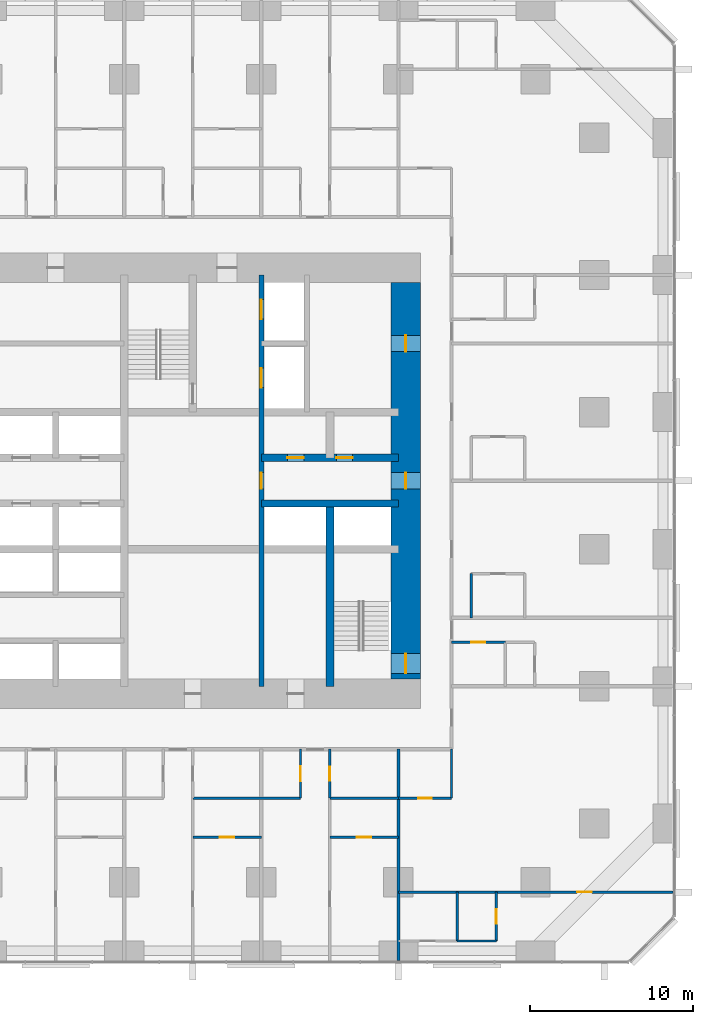
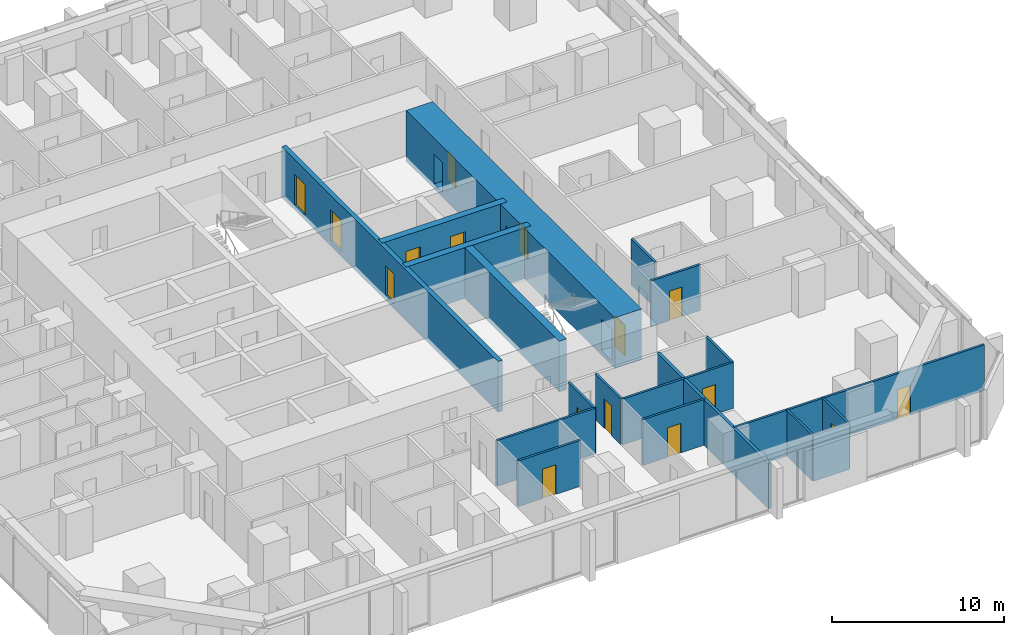
# One storey, part 13 of 17: 20 walls, 16 doors, 16 openings.
"""IFC4 building model written with IfcOpenShell, lengths in metres."""

from ifc_helpers import new_model, si_unit, direction, frame, frame_2d, origin, place, context, subcontext, project, spatial, rectangle, extrude, material, layer, layer_set, type_object, element, fill, save


model = new_model("IFC4")

# Units and contexts
model_context = context("Model", 3, precision=1e-05, world=origin(), true_north=direction((0.0, 1.0)))
body_context = subcontext(model_context, "Body", "Model", "MODEL_VIEW")
ifc_project = project(units=[si_unit("LENGTHUNIT", "METRE"), si_unit("AREAUNIT", "SQUARE_METRE"), si_unit("VOLUMEUNIT", "CUBIC_METRE"), si_unit("PLANEANGLEUNIT", "RADIAN"), si_unit("MASSUNIT", "GRAM", prefix="KILO")], contexts=[model_context])

# Site, building, storey
site_placement = place(None, origin())
site = spatial("IfcSite", under=ifc_project, at=site_placement, CompositionType="ELEMENT")
building_placement = place(site_placement, origin())
building = spatial("IfcBuilding", under=site, at=building_placement, Name="Dunama Terrace Hotel", CompositionType="ELEMENT")
storey_placement = place(building_placement, frame((0.0, 0.0, 48.60009765625)))
storey = spatial("IfcBuildingStorey", under=building, at=storey_placement, Name="L11", CompositionType="ELEMENT", Elevation=48.60009765625)

# Wall, opening, door
ifc_material_1 = material(Name="Gypsum board partition", Category="masonry")
ifc_layer_1 = layer(ifc_material_1, 0.14990234375)
ifc_layer_set_1 = layer_set([ifc_layer_1], Name="Bathroom partition 150")
wall_type_1 = type_object("IfcWallType", Name="Bathroom partition 150", PredefinedType="PARTITIONING", material=ifc_layer_set_1)
wall_1_placement = place(storey_placement, frame((37.800048828125, 9.949951171875, 0.0), z_axis=(0.0, 0.0, 1.0), x_axis=(0.0, 1.0, 0.0)))
wall_1 = element("IfcWall", 1, at=wall_1_placement, inside=storey, type_object=wall_type_1, Name="Bathroom partition 150 L11", PredefinedType="PARTITIONING", context=body_context, shape_type="SweptSolid", body=[
    extrude(rectangle(XDim=3.0, YDim=0.14990234375, at=frame_2d((1.5, 0.0))), origin(), (0.0, 0.0, 1.0), 3.25),
])
opening_1_placement = place(wall_1_placement, frame((1.074951171875, 0.0, 0.0)))
opening_1 = element("IfcOpeningElement", 2, at=opening_1_placement, cuts=wall_1, Name="Opening L10-11-021", PredefinedType="OPENING", context=body_context, shape_type="SweptSolid", body=[
    extrude(rectangle(XDim=0.85009765625, YDim=2.10009765625, at=frame_2d((0.425048828125, 1.050048828125))), frame((0.0, 0.0849609375, 0.0), z_axis=(0.0, -1.0, 0.0), x_axis=(1.0, 0.0, 0.0)), (0.0, 0.0, 1.0), 0.169921875),
])
ifc_material_2 = material(Name="Timber door with steel frame", Category="steel")
door_type_1 = type_object("IfcDoorType", Name="Bathroom door 850", OperationType="SINGLE_SWING_LEFT", PredefinedType="DOOR", material=ifc_material_2)
door_1_placement = place(opening_1_placement, frame((0.85009765625, 0.0, 0.0), z_axis=(0.0, 0.0, 1.0), x_axis=(-1.0, 0.0, 0.0)))
door_1 = element("IfcDoor", 3, at=door_1_placement, inside=storey, type_object=door_type_1, Name="Door to residence bathroom L10-11-021, type D2", OperationType="SINGLE_SWING_LEFT", OverallHeight=2.10009765625, OverallWidth=0.85009765625, PredefinedType="DOOR", context=body_context, shape_type="SweptSolid", body=[
    extrude(rectangle(XDim=0.85009765625, YDim=2.10009765625, at=frame_2d((0.425048828125, 1.050048828125))), frame((0.0, 0.025146484375, 0.0), z_axis=(0.0, -1.0, 0.0), x_axis=(1.0, 0.0, 0.0)), (0.0, 0.0, 1.0), 0.050048828125),
])
fill(opening_1, door_1)

# Walls
wall_2_placement = place(storey_placement, frame((45.25, 9.949951171875, 0.0), z_axis=(0.0, 0.0, 1.0), x_axis=(0.0, 1.0, 0.0)))
element("IfcWall", 4, at=wall_2_placement, inside=storey, type_object=wall_type_1, Name="Bathroom partition 150 L11", PredefinedType="PARTITIONING", context=body_context, shape_type="SweptSolid", body=[
    extrude(rectangle(XDim=3.0, YDim=0.14990234375, at=frame_2d((1.5, 0.0))), origin(), (0.0, 0.0, 1.0), 3.25),
])
wall_3_placement = place(storey_placement, frame((46.449951171875, 21.0, 0.0), z_axis=(0.0, 0.0, 1.0), x_axis=(0.0, 1.0, 0.0)))
element("IfcWall", 5, at=wall_3_placement, inside=storey, type_object=wall_type_1, Name="Bathroom partition 150 L11", PredefinedType="PARTITIONING", context=body_context, shape_type="SweptSolid", body=[
    extrude(rectangle(XDim=2.699951171875, YDim=0.14990234375, at=frame_2d((1.35009765625, 0.0))), origin(), (0.0, 0.0, 1.0), 3.25),
])

# Wall, opening, door
wall_4_placement = place(storey_placement, frame((42.0, 9.949951171875, 0.0), z_axis=(0.0, 0.0, 1.0), x_axis=(1.0, 0.0, 0.0)))
wall_4 = element("IfcWall", 6, at=wall_4_placement, inside=storey, type_object=wall_type_1, Name="Bathroom partition 150 L11", PredefinedType="PARTITIONING", context=body_context, shape_type="SweptSolid", body=[
    extrude(rectangle(XDim=3.25, YDim=0.14990234375, at=frame_2d((1.625, 0.0))), origin(), (0.0, 0.0, 1.0), 3.25),
])
opening_2_placement = place(wall_4_placement, frame((1.199951171875, 0.0, 0.0)))
opening_2 = element("IfcOpeningElement", 7, at=opening_2_placement, cuts=wall_4, Name="Opening L10-11-073", PredefinedType="OPENING", context=body_context, shape_type="SweptSolid", body=[
    extrude(rectangle(XDim=0.85009765625, YDim=2.10009765625, at=frame_2d((0.425048828125, 1.050048828125))), frame((0.0, 0.0849609375, 0.0), z_axis=(0.0, -1.0, 0.0), x_axis=(1.0, 0.0, 0.0)), (0.0, 0.0, 1.0), 0.169921875),
])
door_2_placement = place(opening_2_placement, origin())
door_2 = element("IfcDoor", 8, at=door_2_placement, inside=storey, type_object=door_type_1, Name="Door to powder room L10-11-073, type D2", OperationType="SINGLE_SWING_LEFT", OverallHeight=2.10009765625, OverallWidth=0.85009765625, PredefinedType="DOOR", context=body_context, shape_type="SweptSolid", body=[
    extrude(rectangle(XDim=0.85009765625, YDim=2.10009765625, at=frame_2d((0.425048828125, 1.050048828125))), frame((0.0, 0.02490234375, 0.0), z_axis=(0.0, -1.0, 0.0), x_axis=(1.0, 0.0, 0.0)), (0.0, 0.0, 1.0), 0.050048828125),
])
fill(opening_2, door_2)

wall_5_placement = place(storey_placement, frame((45.25, 19.5, 0.0), z_axis=(0.0, 0.0, 1.0), x_axis=(1.0, 0.0, 0.0)))
wall_5 = element("IfcWall", 9, at=wall_5_placement, inside=storey, type_object=wall_type_1, Name="Bathroom partition 150 L11", PredefinedType="PARTITIONING", context=body_context, shape_type="SweptSolid", body=[
    extrude(rectangle(XDim=3.300048828125, YDim=0.14990234375, at=frame_2d((1.64990234375, 0.0))), origin(), (0.0, 0.0, 1.0), 3.25),
])
opening_3_placement = place(wall_5_placement, frame((1.22509765625, 0.0, 0.0)))
opening_3 = element("IfcOpeningElement", 10, at=opening_3_placement, cuts=wall_5, Name="Opening L10-11-025", PredefinedType="OPENING", context=body_context, shape_type="SweptSolid", body=[
    extrude(rectangle(XDim=0.85009765625, YDim=2.10009765625, at=frame_2d((0.425048828125, 1.050048828125))), frame((0.0, 0.0849609375, 0.0), z_axis=(0.0, -1.0, 0.0), x_axis=(1.0, 0.0, 0.0)), (0.0, 0.0, 1.0), 0.169921875),
])
door_3_placement = place(opening_3_placement, frame((0.85009765625, 0.0, 0.0), z_axis=(0.0, 0.0, 1.0), x_axis=(-1.0, 0.0, 0.0)))
door_3 = element("IfcDoor", 11, at=door_3_placement, inside=storey, type_object=door_type_1, Name="Door to en-suite bathroom L10-11-025, type D2", OperationType="SINGLE_SWING_RIGHT", OverallHeight=2.10009765625, OverallWidth=0.85009765625, PredefinedType="DOOR", context=body_context, shape_type="SweptSolid", body=[
    extrude(rectangle(XDim=0.85009765625, YDim=2.10009765625, at=frame_2d((0.425048828125, 1.050048828125))), frame((0.0, 0.025146484375, 0.0), z_axis=(0.0, -1.0, 0.0), x_axis=(1.0, 0.0, 0.0)), (0.0, 0.0, 1.0), 0.050048828125),
])
fill(opening_3, door_3)

# Wall, openings, doors
ifc_material_3 = material(Name="Concrete C50/60", Category="concrete")
ifc_layer_2 = layer(ifc_material_3, 0.300048828125)
ifc_layer_set_2 = layer_set([ifc_layer_2], Name="Core inner wall 300")
wall_type_2 = type_object("IfcWallType", Name="Core inner wall 300", PredefinedType="SHEAR", material=ifc_layer_set_2)
wall_6_placement = place(storey_placement, frame((33.60009765625, 16.800048828125, -0.35009765625), z_axis=(0.0, 0.0, 1.0), x_axis=(0.0, 1.0, 0.0)))
wall_6 = element("IfcWall", 12, at=wall_6_placement, inside=storey, type_object=wall_type_2, Name="Core inner wall 300 L11", PredefinedType="SHEAR", context=body_context, shape_type="SweptSolid", body=[
    extrude(rectangle(XDim=25.199951171875, YDim=0.300048828125, at=frame_2d((12.60009765625, 0.0))), origin(), (0.0, 0.0, 1.0), 3.60009765625),
])
opening_4_placement = place(wall_6_placement, frame((22.5, 0.0, 0.35009765625)))
opening_4 = element("IfcOpeningElement", 13, at=opening_4_placement, cuts=wall_6, Name="Opening L10-11-007", PredefinedType="OPENING", context=body_context, shape_type="SweptSolid", body=[
    extrude(rectangle(XDim=1.199951171875, YDim=2.199951171875, at=frame_2d((0.60009765625, 1.10009765625))), frame((0.0, 0.159912109375, 0.0), z_axis=(0.0, -1.0, 0.0), x_axis=(1.0, 0.0, 0.0)), (0.0, 0.0, 1.0), 0.320068359375),
])
opening_5_placement = place(wall_6_placement, frame((18.300048828125, 0.0, 0.35009765625)))
opening_5 = element("IfcOpeningElement", 14, at=opening_5_placement, cuts=wall_6, Name="Opening L10-11-008", PredefinedType="OPENING", context=body_context, shape_type="SweptSolid", body=[
    extrude(rectangle(XDim=1.199951171875, YDim=2.199951171875, at=frame_2d((0.60009765625, 1.10009765625))), frame((0.0, 0.159912109375, 0.0), z_axis=(0.0, -1.0, 0.0), x_axis=(1.0, 0.0, 0.0)), (0.0, 0.0, 1.0), 0.320068359375),
])
opening_6_placement = place(wall_6_placement, frame((12.10009765625, 0.0, 0.35009765625)))
opening_6 = element("IfcOpeningElement", 15, at=opening_6_placement, cuts=wall_6, Name="Opening L10-11-091", PredefinedType="OPENING", context=body_context, shape_type="SweptSolid", body=[
    extrude(rectangle(XDim=1.0, YDim=2.10009765625, at=frame_2d((0.5, 1.050048828125))), frame((0.0, 0.159912109375, 0.0), z_axis=(0.0, -1.0, 0.0), x_axis=(1.0, 0.0, 0.0)), (0.0, 0.0, 1.0), 0.320068359375),
])
ifc_material_4 = material(Name="Stainless steel lift door", Category="steel")
door_type_2 = type_object("IfcDoorType", Name="Firefighting lift landing door 1200", OperationType="DOUBLE_DOOR_SLIDING", PredefinedType="DOOR", material=ifc_material_4)
door_4_placement = place(opening_4_placement, origin())
door_4 = element("IfcDoor", 16, at=door_4_placement, inside=storey, type_object=door_type_2, Name="Landing door FL1 L10-11-007, type LD2", OperationType="DOUBLE_DOOR_SLIDING", OverallHeight=2.199951171875, OverallWidth=1.199951171875, PredefinedType="DOOR", context=body_context, shape_type="SweptSolid", body=[
    extrude(rectangle(XDim=1.199951171875, YDim=2.199951171875, at=frame_2d((0.60009765625, 1.10009765625))), frame((0.0, 0.02490234375, 0.0), z_axis=(0.0, -1.0, 0.0), x_axis=(1.0, 0.0, 0.0)), (0.0, 0.0, 1.0), 0.050048828125),
])
fill(opening_4, door_4)
door_5_placement = place(opening_5_placement, origin())
door_5 = element("IfcDoor", 17, at=door_5_placement, inside=storey, type_object=door_type_2, Name="Landing door FL2 L10-11-008, type LD2", OperationType="DOUBLE_DOOR_SLIDING", OverallHeight=2.199951171875, OverallWidth=1.199951171875, PredefinedType="DOOR", context=body_context, shape_type="SweptSolid", body=[
    extrude(rectangle(XDim=1.199951171875, YDim=2.199951171875, at=frame_2d((0.60009765625, 1.10009765625))), frame((0.0, 0.02490234375, 0.0), z_axis=(0.0, -1.0, 0.0), x_axis=(1.0, 0.0, 0.0)), (0.0, 0.0, 1.0), 0.050048828125),
])
fill(opening_5, door_5)
ifc_material_5 = material(Name="Timber door with steel frame", Category="steel")
door_type_3 = type_object("IfcDoorType", Name="Service door 1000", OperationType="SINGLE_SWING_LEFT", PredefinedType="DOOR", material=ifc_material_5)
door_6_placement = place(opening_6_placement, origin())
door_6 = element("IfcDoor", 18, at=door_6_placement, inside=storey, type_object=door_type_3, Name="Door to linen and housekeeping room L10-11-091, type D7", OperationType="SINGLE_SWING_LEFT", OverallHeight=2.10009765625, OverallWidth=1.0, PredefinedType="DOOR", context=body_context, shape_type="SweptSolid", body=[
    extrude(rectangle(XDim=1.0, YDim=2.10009765625, at=frame_2d((0.5, 1.050048828125))), frame((0.0, 0.02490234375, 0.0), z_axis=(0.0, -1.0, 0.0), x_axis=(1.0, 0.0, 0.0)), (0.0, 0.0, 1.0), 0.050048828125),
])
fill(opening_6, door_6)

# Wall
ifc_material_6 = material(Name="Concrete C50/60", Category="concrete")
ifc_layer_3 = layer(ifc_material_6, 0.449951171875)
ifc_layer_set_3 = layer_set([ifc_layer_3], Name="Core inner wall 450")
wall_type_3 = type_object("IfcWallType", Name="Core inner wall 450", PredefinedType="SHEAR", material=ifc_layer_set_3)
wall_7_placement = place(storey_placement, frame((33.60009765625, 28.0, -0.35009765625), z_axis=(0.0, 0.0, 1.0), x_axis=(1.0, 0.0, 0.0)))
element("IfcWall", 19, at=wall_7_placement, inside=storey, type_object=wall_type_3, Name="Core inner wall 450 L11", PredefinedType="SHEAR", context=body_context, shape_type="SweptSolid", body=[
    extrude(rectangle(XDim=8.39990234375, YDim=0.449951171875, at=frame_2d((4.199951171875, 0.0))), origin(), (0.0, 0.0, 1.0), 3.60009765625),
])

# Wall, openings, doors
wall_8_placement = place(storey_placement, frame((33.60009765625, 30.800048828125, -0.35009765625), z_axis=(0.0, 0.0, 1.0), x_axis=(1.0, 0.0, 0.0)))
wall_8 = element("IfcWall", 20, at=wall_8_placement, inside=storey, type_object=wall_type_3, Name="Core inner wall 450 L11", PredefinedType="SHEAR", context=body_context, shape_type="SweptSolid", body=[
    extrude(rectangle(XDim=8.39990234375, YDim=0.449951171875, at=frame_2d((4.199951171875, 0.0))), origin(), (0.0, 0.0, 1.0), 3.60009765625),
])
opening_7_placement = place(wall_8_placement, frame((1.60009765625, 0.0, 0.35009765625)))
opening_7 = element("IfcOpeningElement", 21, at=opening_7_placement, cuts=wall_8, Name="Opening L10-11-092", PredefinedType="OPENING", context=body_context, shape_type="SweptSolid", body=[
    extrude(rectangle(XDim=1.0, YDim=2.10009765625, at=frame_2d((0.5, 1.050048828125))), frame((0.0, 0.23486328125, 0.0), z_axis=(0.0, -1.0, 0.0), x_axis=(1.0, 0.0, 0.0)), (0.0, 0.0, 1.0), 0.469970703125),
])
opening_8_placement = place(wall_8_placement, frame((4.60009765625, 0.0, 0.35009765625)))
opening_8 = element("IfcOpeningElement", 22, at=opening_8_placement, cuts=wall_8, Name="Opening L10-11-093", PredefinedType="OPENING", context=body_context, shape_type="SweptSolid", body=[
    extrude(rectangle(XDim=1.0, YDim=2.10009765625, at=frame_2d((0.5, 1.050048828125))), frame((0.0, 0.23486328125, 0.0), z_axis=(0.0, -1.0, 0.0), x_axis=(1.0, 0.0, 0.0)), (0.0, 0.0, 1.0), 0.469970703125),
])
door_7_placement = place(opening_7_placement, origin())
door_7 = element("IfcDoor", 23, at=door_7_placement, inside=storey, type_object=door_type_3, Name="Door to service riser L10-11-092, type D7", OperationType="SINGLE_SWING_RIGHT", OverallHeight=2.10009765625, OverallWidth=1.0, PredefinedType="DOOR", context=body_context, shape_type="SweptSolid", body=[
    extrude(rectangle(XDim=1.0, YDim=2.10009765625, at=frame_2d((0.5, 1.050048828125))), frame((0.0, 0.02490234375, 0.0), z_axis=(0.0, -1.0, 0.0), x_axis=(1.0, 0.0, 0.0)), (0.0, 0.0, 1.0), 0.050048828125),
])
fill(opening_7, door_7)
door_8_placement = place(opening_8_placement, origin())
door_8 = element("IfcDoor", 24, at=door_8_placement, inside=storey, type_object=door_type_3, Name="Door to cleaners store L10-11-093, type D7", OperationType="SINGLE_SWING_LEFT", OverallHeight=2.10009765625, OverallWidth=1.0, PredefinedType="DOOR", context=body_context, shape_type="SweptSolid", body=[
    extrude(rectangle(XDim=1.0, YDim=2.10009765625, at=frame_2d((0.5, 1.050048828125))), frame((0.0, 0.02490234375, 0.0), z_axis=(0.0, -1.0, 0.0), x_axis=(1.0, 0.0, 0.0)), (0.0, 0.0, 1.0), 0.050048828125),
])
fill(opening_8, door_8)

# Wall
ifc_material_7 = material(Name="Concrete C50/60", Category="concrete")
ifc_layer_4 = layer(ifc_material_7, 0.5)
ifc_layer_set_4 = layer_set([ifc_layer_4], Name="Core inner wall 500")
wall_type_4 = type_object("IfcWallType", Name="Core inner wall 500", PredefinedType="SHEAR", material=ifc_layer_set_4)
wall_9_placement = place(storey_placement, frame((37.800048828125, 16.800048828125, -0.35009765625), z_axis=(0.0, 0.0, 1.0), x_axis=(0.0, 1.0, 0.0)))
element("IfcWall", 25, at=wall_9_placement, inside=storey, type_object=wall_type_4, Name="Core inner wall 500 L11", PredefinedType="SHEAR", context=body_context, shape_type="SweptSolid", body=[
    extrude(rectangle(XDim=11.199951171875, YDim=0.5, at=frame_2d((5.60009765625, 0.0))), origin(), (0.0, 0.0, 1.0), 3.60009765625),
])

# Wall, openings, doors
ifc_material_8 = material(Name="Concrete C60/75", Category="concrete")
ifc_layer_5 = layer(ifc_material_8, 1.800048828125)
ifc_layer_set_5 = layer_set([ifc_layer_5], Name="Core wall 1800")
wall_type_5 = type_object("IfcWallType", Name="Core wall 1800", PredefinedType="SHEAR", material=ifc_layer_set_5)
wall_10_placement = place(storey_placement, frame((42.449951171875, 17.25, -0.35009765625), z_axis=(0.0, 0.0, 1.0), x_axis=(0.0, 1.0, 0.0)))
wall_10 = element("IfcWall", 26, at=wall_10_placement, inside=storey, type_object=wall_type_5, Name="Core wall east L11", PredefinedType="SHEAR", context=body_context, shape_type="SweptSolid", body=[
    extrude(rectangle(XDim=24.300048828125, YDim=1.800048828125, at=frame_2d((12.14990234375, 0.0))), origin(), (0.0, 0.0, 1.0), 3.60009765625),
])
opening_9_placement = place(wall_10_placement, frame((0.35009765625, 0.0, 0.35009765625)))
opening_9 = element("IfcOpeningElement", 27, at=opening_9_placement, cuts=wall_10, Name="Opening L10-11-002", PredefinedType="OPENING", context=body_context, shape_type="SweptSolid", body=[
    extrude(rectangle(XDim=1.199951171875, YDim=2.199951171875, at=frame_2d((0.60009765625, 1.10009765625))), frame((0.0, 0.909912109375, 0.0), z_axis=(0.0, -1.0, 0.0), x_axis=(1.0, 0.0, 0.0)), (0.0, 0.0, 1.0), 1.820068359375),
])
opening_10_placement = place(wall_10_placement, frame((11.64990234375, 0.0, 0.35009765625)))
opening_10 = element("IfcOpeningElement", 28, at=opening_10_placement, cuts=wall_10, Name="Opening L10-11-094", PredefinedType="OPENING", context=body_context, shape_type="SweptSolid", body=[
    extrude(rectangle(XDim=1.0, YDim=2.10009765625, at=frame_2d((0.5, 1.050048828125))), frame((0.0, 0.909912109375, 0.0), z_axis=(0.0, -1.0, 0.0), x_axis=(1.0, 0.0, 0.0)), (0.0, 0.0, 1.0), 1.820068359375),
])
opening_11_placement = place(wall_10_placement, frame((20.050048828125, 0.0, 0.35009765625)))
opening_11 = element("IfcOpeningElement", 29, at=opening_11_placement, cuts=wall_10, Name="Opening L10-11-096", PredefinedType="OPENING", context=body_context, shape_type="SweptSolid", body=[
    extrude(rectangle(XDim=1.0, YDim=2.10009765625, at=frame_2d((0.5, 1.050048828125))), frame((0.0, 0.909912109375, 0.0), z_axis=(0.0, -1.0, 0.0), x_axis=(1.0, 0.0, 0.0)), (0.0, 0.0, 1.0), 1.820068359375),
])
door_9_placement = place(opening_10_placement, origin())
door_9 = element("IfcDoor", 30, at=door_9_placement, inside=storey, type_object=door_type_3, Name="Door to service lobby L10-11-094, type D7", OperationType="SINGLE_SWING_LEFT", OverallHeight=2.10009765625, OverallWidth=1.0, PredefinedType="DOOR", context=body_context, shape_type="SweptSolid", body=[
    extrude(rectangle(XDim=1.0, YDim=2.10009765625, at=frame_2d((0.5, 1.050048828125))), frame((0.0, 0.02490234375, 0.0), z_axis=(0.0, -1.0, 0.0), x_axis=(1.0, 0.0, 0.0)), (0.0, 0.0, 1.0), 0.050048828125),
])
fill(opening_10, door_9)
door_10_placement = place(opening_11_placement, origin())
door_10 = element("IfcDoor", 31, at=door_10_placement, inside=storey, type_object=door_type_3, Name="Door to housekeeping store L10-11-096, type D7", OperationType="SINGLE_SWING_LEFT", OverallHeight=2.10009765625, OverallWidth=1.0, PredefinedType="DOOR", context=body_context, shape_type="SweptSolid", body=[
    extrude(rectangle(XDim=1.0, YDim=2.10009765625, at=frame_2d((0.5, 1.050048828125))), frame((0.0, 0.02490234375, 0.0), z_axis=(0.0, -1.0, 0.0), x_axis=(1.0, 0.0, 0.0)), (0.0, 0.0, 1.0), 0.050048828125),
])
fill(opening_11, door_10)
ifc_material_9 = material(Name="Timber door with steel frame", Category="steel")
door_type_4 = type_object("IfcDoorType", Name="Stair door 1200", OperationType="SINGLE_SWING_LEFT", PredefinedType="DOOR", material=ifc_material_9)
door_11_placement = place(opening_9_placement, origin())
door_11 = element("IfcDoor", 32, at=door_11_placement, inside=storey, type_object=door_type_4, Name="Stair door ST2 L10-11-002, type D5", OperationType="SINGLE_SWING_LEFT", OverallHeight=2.199951171875, OverallWidth=1.199951171875, PredefinedType="DOOR", context=body_context, shape_type="SweptSolid", body=[
    extrude(rectangle(XDim=1.199951171875, YDim=2.199951171875, at=frame_2d((0.60009765625, 1.10009765625))), frame((0.0, 0.02490234375, 0.0), z_axis=(0.0, -1.0, 0.0), x_axis=(1.0, 0.0, 0.0)), (0.0, 0.0, 1.0), 0.050048828125),
])
fill(opening_9, door_11)

# Wall
ifc_material_10 = material(Name="Concrete blockwork", Category="masonry")
ifc_layer_6 = layer(ifc_material_10, 0.199951171875)
ifc_layer_set_6 = layer_set([ifc_layer_6], Name="Party wall 200")
wall_type_6 = type_object("IfcWallType", Name="Party wall 200", PredefinedType="PARTITIONING", material=ifc_layer_set_6)
wall_11_placement = place(storey_placement, frame((42.0, -0.008056640625, 0.0), z_axis=(0.0, 0.0, 1.0), x_axis=(0.0, 1.0, 0.0)))
element("IfcWall", 33, at=wall_11_placement, inside=storey, type_object=wall_type_6, Name="Party wall 200 L11", PredefinedType="PARTITIONING", context=body_context, shape_type="SweptSolid", body=[
    extrude(rectangle(XDim=12.9580078125, YDim=0.199951171875, at=frame_2d((6.47900390625, 0.0))), origin(), (0.0, 0.0, 1.0), 3.25),
])

# Wall, opening, door
ifc_material_11 = material(Name="Gypsum board partition", Category="masonry")
ifc_layer_7 = layer(ifc_material_11, 0.14990234375)
ifc_layer_set_7 = layer_set([ifc_layer_7], Name="Room partition 150")
wall_type_7 = type_object("IfcWallType", Name="Room partition 150", PredefinedType="PARTITIONING", material=ifc_layer_set_7)
wall_12_placement = place(storey_placement, frame((36.0, 9.949951171875, 0.0), z_axis=(0.0, 0.0, 1.0), x_axis=(0.0, 1.0, 0.0)))
wall_12 = element("IfcWall", 34, at=wall_12_placement, inside=storey, type_object=wall_type_7, Name="Room partition 150 L11", PredefinedType="PARTITIONING", context=body_context, shape_type="SweptSolid", body=[
    extrude(rectangle(XDim=3.0, YDim=0.14990234375, at=frame_2d((1.5, 0.0))), origin(), (0.0, 0.0, 1.0), 3.25),
])
opening_12_placement = place(wall_12_placement, frame((1.050048828125, 0.0, 0.0)))
opening_12 = element("IfcOpeningElement", 35, at=opening_12_placement, cuts=wall_12, Name="Opening L10-11-020", PredefinedType="OPENING", context=body_context, shape_type="SweptSolid", body=[
    extrude(rectangle(XDim=0.89990234375, YDim=2.10009765625, at=frame_2d((0.449951171875, 1.050048828125))), frame((0.0, 0.0849609375, 0.0), z_axis=(0.0, -1.0, 0.0), x_axis=(1.0, 0.0, 0.0)), (0.0, 0.0, 1.0), 0.169921875),
])
ifc_material_12 = material(Name="Timber door with steel frame", Category="steel")
door_type_5 = type_object("IfcDoorType", Name="Suite internal door 900", OperationType="SINGLE_SWING_LEFT", PredefinedType="DOOR", material=ifc_material_12)
door_12_placement = place(opening_12_placement, origin())
door_12 = element("IfcDoor", 36, at=door_12_placement, inside=storey, type_object=door_type_5, Name="Door to residence kitchen L10-11-020, type D16", OperationType="SINGLE_SWING_RIGHT", OverallHeight=2.10009765625, OverallWidth=0.89990234375, PredefinedType="DOOR", context=body_context, shape_type="SweptSolid", body=[
    extrude(rectangle(XDim=0.89990234375, YDim=2.10009765625, at=frame_2d((0.449951171875, 1.050048828125))), frame((0.0, 0.02490234375, 0.0), z_axis=(0.0, -1.0, 0.0), x_axis=(1.0, 0.0, 0.0)), (0.0, 0.0, 1.0), 0.050048828125),
])
fill(opening_12, door_12)

# Wall
wall_13_placement = place(storey_placement, frame((45.60009765625, 1.199951171875, 0.0), z_axis=(0.0, 0.0, 1.0), x_axis=(0.0, 1.0, 0.0)))
element("IfcWall", 37, at=wall_13_placement, inside=storey, type_object=wall_type_7, Name="Room partition 150 L11", PredefinedType="PARTITIONING", context=body_context, shape_type="SweptSolid", body=[
    extrude(rectangle(XDim=3.0, YDim=0.14990234375, at=frame_2d((1.5, 0.0))), origin(), (0.0, 0.0, 1.0), 3.25),
])

# Wall, opening, door
wall_14_placement = place(storey_placement, frame((48.0, 1.199951171875, 0.0), z_axis=(0.0, 0.0, 1.0), x_axis=(0.0, 1.0, 0.0)))
wall_14 = element("IfcWall", 38, at=wall_14_placement, inside=storey, type_object=wall_type_7, Name="Room partition 150 L11", PredefinedType="PARTITIONING", context=body_context, shape_type="SweptSolid", body=[
    extrude(rectangle(XDim=3.0, YDim=0.14990234375, at=frame_2d((1.5, 0.0))), origin(), (0.0, 0.0, 1.0), 3.25),
])
opening_13_placement = place(wall_14_placement, frame((1.050048828125, 0.0, 0.0)))
opening_13 = element("IfcOpeningElement", 39, at=opening_13_placement, cuts=wall_14, Name="Opening L10-11-076", PredefinedType="OPENING", context=body_context, shape_type="SweptSolid", body=[
    extrude(rectangle(XDim=0.89990234375, YDim=2.10009765625, at=frame_2d((0.449951171875, 1.050048828125))), frame((0.0, 0.0849609375, 0.0), z_axis=(0.0, -1.0, 0.0), x_axis=(1.0, 0.0, 0.0)), (0.0, 0.0, 1.0), 0.169921875),
])
door_13_placement = place(opening_13_placement, origin())
door_13 = element("IfcDoor", 40, at=door_13_placement, inside=storey, type_object=door_type_5, Name="Door to dressing room L10-11-076, type D16", OperationType="SINGLE_SWING_LEFT", OverallHeight=2.10009765625, OverallWidth=0.89990234375, PredefinedType="DOOR", context=body_context, shape_type="SweptSolid", body=[
    extrude(rectangle(XDim=0.89990234375, YDim=2.10009765625, at=frame_2d((0.449951171875, 1.050048828125))), frame((0.0, 0.02490234375, 0.0), z_axis=(0.0, -1.0, 0.0), x_axis=(1.0, 0.0, 0.0)), (0.0, 0.0, 1.0), 0.050048828125),
])
fill(opening_13, door_13)

# Wall
wall_15_placement = place(storey_placement, frame((45.60009765625, 1.199951171875, 0.0), z_axis=(0.0, 0.0, 1.0), x_axis=(1.0, 0.0, 0.0)))
element("IfcWall", 41, at=wall_15_placement, inside=storey, type_object=wall_type_7, Name="Room partition 150 L11", PredefinedType="PARTITIONING", context=body_context, shape_type="SweptSolid", body=[
    extrude(rectangle(XDim=2.39990234375, YDim=0.14990234375, at=frame_2d((1.199951171875, 0.0))), origin(), (0.0, 0.0, 1.0), 3.25),
])

# Wall, opening, door
wall_16_placement = place(storey_placement, frame((42.0, 4.199951171875, 0.0), z_axis=(0.0, 0.0, 1.0), x_axis=(1.0, 0.0, 0.0)))
wall_16 = element("IfcWall", 42, at=wall_16_placement, inside=storey, type_object=wall_type_7, Name="Room partition 150 L11", PredefinedType="PARTITIONING", context=body_context, shape_type="SweptSolid", body=[
    extrude(rectangle(XDim=16.80810546875, YDim=0.14990234375, at=frame_2d((8.404052734375, 0.0))), origin(), (0.0, 0.0, 1.0), 3.25),
])
opening_14_placement = place(wall_16_placement, frame((10.949951171875, 0.0, 0.0)))
opening_14 = element("IfcOpeningElement", 43, at=opening_14_placement, cuts=wall_16, Name="Opening L10-11-074", PredefinedType="OPENING", context=body_context, shape_type="SweptSolid", body=[
    extrude(rectangle(XDim=0.89990234375, YDim=2.10009765625, at=frame_2d((0.449951171875, 1.050048828125))), frame((0.0, 0.0849609375, 0.0), z_axis=(0.0, -1.0, 0.0), x_axis=(1.0, 0.0, 0.0)), (0.0, 0.0, 1.0), 0.169921875),
])
door_14_placement = place(opening_14_placement, frame((0.89990234375, 0.0, 0.0), z_axis=(0.0, 0.0, 1.0), x_axis=(-1.0, 0.0, 0.0)))
door_14 = element("IfcDoor", 44, at=door_14_placement, inside=storey, type_object=door_type_5, Name="Door to corner suite bedroom L10-11-074, type D16", OperationType="SINGLE_SWING_RIGHT", OverallHeight=2.10009765625, OverallWidth=0.89990234375, PredefinedType="DOOR", context=body_context, shape_type="SweptSolid", body=[
    extrude(rectangle(XDim=0.89990234375, YDim=2.10009765625, at=frame_2d((0.449951171875, 1.050048828125))), frame((0.0, 0.025146484375, 0.0), z_axis=(0.0, -1.0, 0.0), x_axis=(1.0, 0.0, 0.0)), (0.0, 0.0, 1.0), 0.050048828125),
])
fill(opening_14, door_14)

wall_17_placement = place(storey_placement, frame((29.39990234375, 7.550048828125, 0.0), z_axis=(0.0, 0.0, 1.0), x_axis=(1.0, 0.0, 0.0)))
wall_17 = element("IfcWall", 45, at=wall_17_placement, inside=storey, type_object=wall_type_7, Name="Room partition 150 L11", PredefinedType="PARTITIONING", context=body_context, shape_type="SweptSolid", body=[
    extrude(rectangle(XDim=4.2001953125, YDim=0.14990234375, at=frame_2d((2.10009765625, 0.0))), origin(), (0.0, 0.0, 1.0), 3.25),
])
opening_15_placement = place(wall_17_placement, frame((1.64990234375, 0.0, 0.0)))
opening_15 = element("IfcOpeningElement", 46, at=opening_15_placement, cuts=wall_17, Name="Opening L10-11-017", PredefinedType="OPENING", context=body_context, shape_type="SweptSolid", body=[
    extrude(rectangle(XDim=0.89990234375, YDim=2.10009765625, at=frame_2d((0.449951171875, 1.050048828125))), frame((0.0, 0.0849609375, 0.0), z_axis=(0.0, -1.0, 0.0), x_axis=(1.0, 0.0, 0.0)), (0.0, 0.0, 1.0), 0.169921875),
])
door_15_placement = place(opening_15_placement, origin())
door_15 = element("IfcDoor", 47, at=door_15_placement, inside=storey, type_object=door_type_5, Name="Door to walk-in wardrobe L10-11-017, type D16", OperationType="SINGLE_SWING_LEFT", OverallHeight=2.10009765625, OverallWidth=0.89990234375, PredefinedType="DOOR", context=body_context, shape_type="SweptSolid", body=[
    extrude(rectangle(XDim=0.89990234375, YDim=2.10009765625, at=frame_2d((0.449951171875, 1.050048828125))), frame((0.0, 0.02490234375, 0.0), z_axis=(0.0, -1.0, 0.0), x_axis=(1.0, 0.0, 0.0)), (0.0, 0.0, 1.0), 0.050048828125),
])
fill(opening_15, door_15)

wall_18_placement = place(storey_placement, frame((37.800048828125, 7.550048828125, 0.0), z_axis=(0.0, 0.0, 1.0), x_axis=(1.0, 0.0, 0.0)))
wall_18 = element("IfcWall", 48, at=wall_18_placement, inside=storey, type_object=wall_type_7, Name="Room partition 150 L11", PredefinedType="PARTITIONING", context=body_context, shape_type="SweptSolid", body=[
    extrude(rectangle(XDim=4.199951171875, YDim=0.14990234375, at=frame_2d((2.10009765625, 0.0))), origin(), (0.0, 0.0, 1.0), 3.25),
])
opening_16_placement = place(wall_18_placement, frame((1.64990234375, 0.0, 0.0)))
opening_16 = element("IfcOpeningElement", 49, at=opening_16_placement, cuts=wall_18, Name="Opening L10-11-022", PredefinedType="OPENING", context=body_context, shape_type="SweptSolid", body=[
    extrude(rectangle(XDim=0.89990234375, YDim=2.10009765625, at=frame_2d((0.449951171875, 1.050048828125))), frame((0.0, 0.0849609375, 0.0), z_axis=(0.0, -1.0, 0.0), x_axis=(1.0, 0.0, 0.0)), (0.0, 0.0, 1.0), 0.169921875),
])
door_16_placement = place(opening_16_placement, origin())
door_16 = element("IfcDoor", 50, at=door_16_placement, inside=storey, type_object=door_type_5, Name="Door to walk-in wardrobe L10-11-022, type D16", OperationType="SINGLE_SWING_LEFT", OverallHeight=2.10009765625, OverallWidth=0.89990234375, PredefinedType="DOOR", context=body_context, shape_type="SweptSolid", body=[
    extrude(rectangle(XDim=0.89990234375, YDim=2.10009765625, at=frame_2d((0.449951171875, 1.050048828125))), frame((0.0, 0.02490234375, 0.0), z_axis=(0.0, -1.0, 0.0), x_axis=(1.0, 0.0, 0.0)), (0.0, 0.0, 1.0), 0.050048828125),
])
fill(opening_16, door_16)

# Walls
wall_19_placement = place(storey_placement, frame((29.39990234375, 9.949951171875, 0.0), z_axis=(0.0, 0.0, 1.0), x_axis=(1.0, 0.0, 0.0)))
element("IfcWall", 51, at=wall_19_placement, inside=storey, type_object=wall_type_7, Name="Room partition 150 L11", PredefinedType="PARTITIONING", context=body_context, shape_type="SweptSolid", body=[
    extrude(rectangle(XDim=6.60009765625, YDim=0.14990234375, at=frame_2d((3.300048828125, 0.0))), origin(), (0.0, 0.0, 1.0), 3.25),
])
wall_20_placement = place(storey_placement, frame((37.800048828125, 9.949951171875, 0.0), z_axis=(0.0, 0.0, 1.0), x_axis=(1.0, 0.0, 0.0)))
element("IfcWall", 52, at=wall_20_placement, inside=storey, type_object=wall_type_7, Name="Room partition 150 L11", PredefinedType="PARTITIONING", context=body_context, shape_type="SweptSolid", body=[
    extrude(rectangle(XDim=4.199951171875, YDim=0.14990234375, at=frame_2d((2.10009765625, 0.0))), origin(), (0.0, 0.0, 1.0), 3.25),
])

save(model, "model.ifc")
